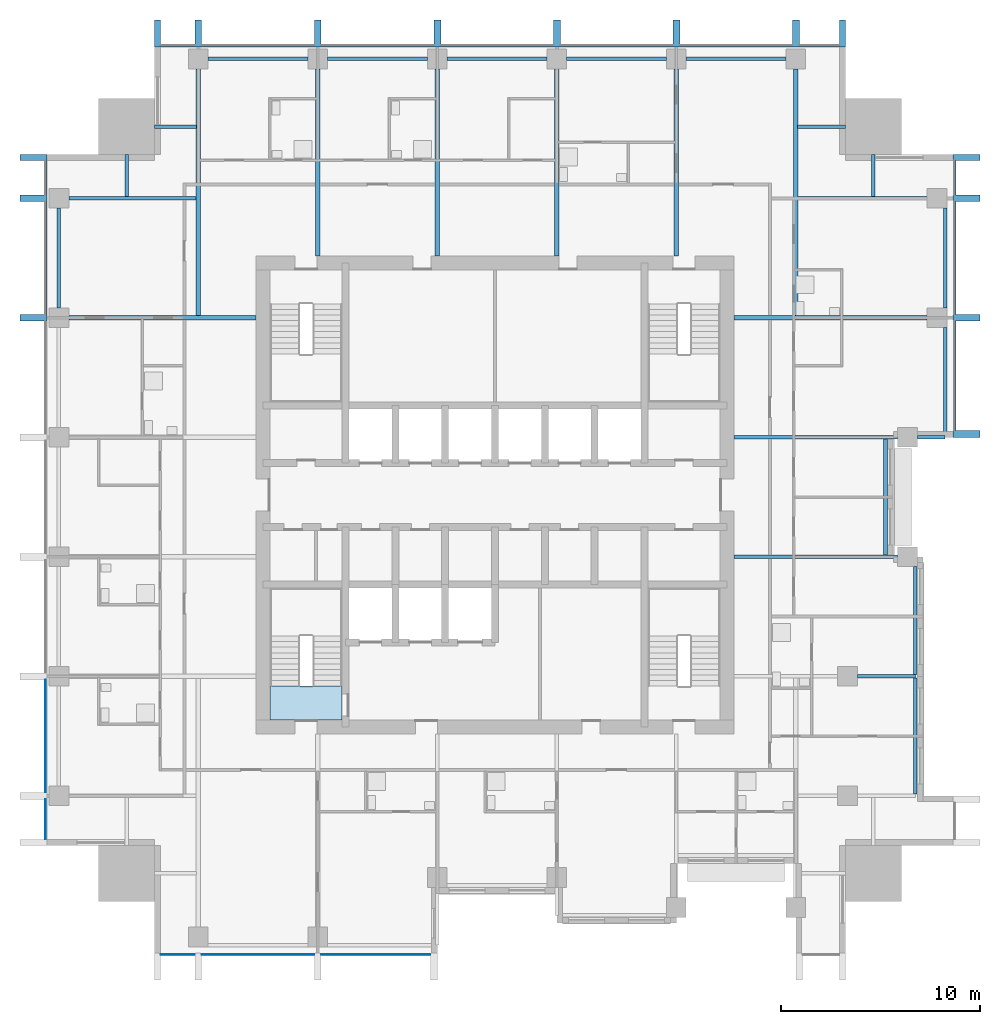
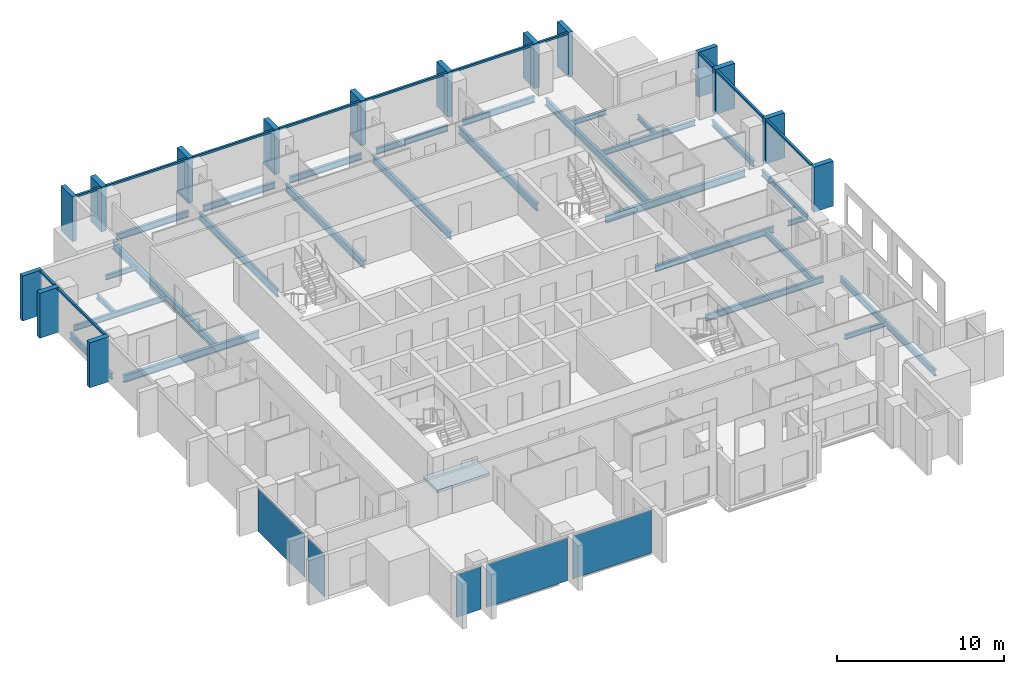
# One storey, part 2 of 11: 29 beams, 27 members, 5 plates, 1 slab, 5 elements without a shape of their own.
"""IFC4 building model written with IfcOpenShell, lengths in metres."""

from ifc_helpers import new_model, si_unit, direction, frame, origin, origin_2d, place, context, subcontext, project, spatial, polyline, rectangle, i_section, outline, extrude, material, layer, layer_set, material_profile, profile_set, type_object, element, aggregate, save


model = new_model("IFC4")

# Units and contexts
model_context = context("Model", 3, precision=1e-05, world=origin(), true_north=direction((0.0, 1.0)))
body_context = subcontext(model_context, "Body", "Model", "MODEL_VIEW")
ifc_project = project(units=[si_unit("LENGTHUNIT", "METRE"), si_unit("AREAUNIT", "SQUARE_METRE"), si_unit("VOLUMEUNIT", "CUBIC_METRE"), si_unit("PLANEANGLEUNIT", "RADIAN"), si_unit("MASSUNIT", "GRAM", prefix="KILO")], contexts=[model_context])

# Site, building, storey
site_placement = place(None, origin())
site = spatial("IfcSite", under=ifc_project, at=site_placement, CompositionType="ELEMENT")
building_placement = place(site_placement, origin())
building = spatial("IfcBuilding", under=site, at=building_placement, Name="Amberfall Residences", CompositionType="ELEMENT")
storey_placement = place(building_placement, frame((0.0, 0.0, 171.39990234375)))
storey = spatial("IfcBuildingStorey", under=building, at=storey_placement, Name="L46", CompositionType="ELEMENT", Elevation=171.39990234375)

# Curtain wall, members
ifc_material_1 = material(Name="Bronze anodised aluminium and glass", Category="aluminium")
curtain_wall_type = type_object("IfcCurtainWallType", Name="Curtain wall CW1 tower unit", PredefinedType="USERDEFINED", material=ifc_material_1)
curtain_wall_1_placement = place(storey_placement, origin())
curtain_wall_1 = element("IfcCurtainWall", 1, at=curtain_wall_1_placement, inside=storey, type_object=curtain_wall_type, Name="Curtain wall L46 E E8", ObjectType="UNITISED CURTAIN WALL", PredefinedType="USERDEFINED")
ifc_material_2 = material(Name="Bronze anodised aluminium", Category="aluminium")
ifc_material_profile_1 = material_profile(ifc_material_2, rectangle(XDim=0.14990234375, YDim=0.14990234375, at=origin_2d()), Name="CW1 transom 150 x 150 bronze")
ifc_profile_set_1 = profile_set([ifc_material_profile_1], Name="Bronze anodised aluminium")
member_type_1 = type_object("IfcMemberType", Name="CW1 transom 150 x 150 bronze", PredefinedType="USERDEFINED", material=ifc_profile_set_1)
member_1_placement = place(storey_placement, frame((97.574951171875, 48.75, 2.97509765625), z_axis=(0.0, 1.0, 0.0), x_axis=(-1.0, 0.0, 0.0)))
member_1 = element("IfcMember", 2, at=member_1_placement, type_object=member_type_1, Name="CW1 transom 1.1", ObjectType="TRANSOM", PredefinedType="USERDEFINED", context=body_context, shape_type="SweptSolid", body=[
    extrude(rectangle(XDim=0.14990234375, YDim=0.14990234375, at=origin_2d()), origin(), (0.0, 0.0, 1.0), 5.47509765625),
])
member_2_placement = place(storey_placement, frame((97.574951171875, 54.574951171875, 2.97509765625), z_axis=(0.0, 1.0, 0.0), x_axis=(-1.0, 0.0, 0.0)))
member_2 = element("IfcMember", 3, at=member_2_placement, type_object=member_type_1, Name="CW1 transom 2.1", ObjectType="TRANSOM", PredefinedType="USERDEFINED", context=body_context, shape_type="SweptSolid", body=[
    extrude(rectangle(XDim=0.14990234375, YDim=0.14990234375, at=origin_2d()), origin(), (0.0, 0.0, 1.0), 5.650146484375),
])
member_3_placement = place(storey_placement, frame((97.574951171875, 60.574951171875, 2.97509765625), z_axis=(0.0, 1.0, 0.0), x_axis=(-1.0, 0.0, 0.0)))
member_3 = element("IfcMember", 4, at=member_3_placement, type_object=member_type_1, Name="CW1 transom 3.1", ObjectType="TRANSOM", PredefinedType="USERDEFINED", context=body_context, shape_type="SweptSolid", body=[
    extrude(rectangle(XDim=0.14990234375, YDim=0.14990234375, at=origin_2d()), origin(), (0.0, 0.0, 1.0), 1.72509765625),
])

curtain_wall_2_placement = place(storey_placement, origin())
curtain_wall_2 = element("IfcCurtainWall", 5, at=curtain_wall_2_placement, inside=storey, type_object=curtain_wall_type, Name="Curtain wall L46 N N1", ObjectType="UNITISED CURTAIN WALL", PredefinedType="USERDEFINED")
member_4_placement = place(storey_placement, frame((91.800048828125, 68.074951171875, 2.97509765625), z_axis=(-1.0, 0.0, 0.0), x_axis=(0.0, -1.0, 0.0)))
member_4 = element("IfcMember", 6, at=member_4_placement, type_object=member_type_1, Name="CW1 transom 1.1", ObjectType="TRANSOM", PredefinedType="USERDEFINED", context=body_context, shape_type="SweptSolid", body=[
    extrude(rectangle(XDim=0.14990234375, YDim=0.14990234375, at=origin_2d()), origin(), (0.0, 0.0, 1.0), 2.025146484375),
])
member_5_placement = place(storey_placement, frame((89.425048828125, 68.074951171875, 2.97509765625), z_axis=(-1.0, 0.0, 0.0), x_axis=(0.0, -1.0, 0.0)))
member_5 = element("IfcMember", 7, at=member_5_placement, type_object=member_type_1, Name="CW1 transom 2.1", ObjectType="TRANSOM", PredefinedType="USERDEFINED", context=body_context, shape_type="SweptSolid", body=[
    extrude(rectangle(XDim=0.14990234375, YDim=0.14990234375, at=origin_2d()), origin(), (0.0, 0.0, 1.0), 5.650146484375),
])
member_6_placement = place(storey_placement, frame((83.425048828125, 68.074951171875, 2.97509765625), z_axis=(-1.0, 0.0, 0.0), x_axis=(0.0, -1.0, 0.0)))
member_6 = element("IfcMember", 8, at=member_6_placement, type_object=member_type_1, Name="CW1 transom 3.1", ObjectType="TRANSOM", PredefinedType="USERDEFINED", context=body_context, shape_type="SweptSolid", body=[
    extrude(rectangle(XDim=0.14990234375, YDim=0.14990234375, at=origin_2d()), origin(), (0.0, 0.0, 1.0), 5.650146484375),
])
member_7_placement = place(storey_placement, frame((77.425048828125, 68.074951171875, 2.97509765625), z_axis=(-1.0, 0.0, 0.0), x_axis=(0.0, -1.0, 0.0)))
member_7 = element("IfcMember", 9, at=member_7_placement, type_object=member_type_1, Name="CW1 transom 4.1", ObjectType="TRANSOM", PredefinedType="USERDEFINED", context=body_context, shape_type="SweptSolid", body=[
    extrude(rectangle(XDim=0.14990234375, YDim=0.14990234375, at=origin_2d()), origin(), (0.0, 0.0, 1.0), 5.650146484375),
])
member_8_placement = place(storey_placement, frame((71.425048828125, 68.074951171875, 2.97509765625), z_axis=(-1.0, 0.0, 0.0), x_axis=(0.0, -1.0, 0.0)))
member_8 = element("IfcMember", 10, at=member_8_placement, type_object=member_type_1, Name="CW1 transom 5.1", ObjectType="TRANSOM", PredefinedType="USERDEFINED", context=body_context, shape_type="SweptSolid", body=[
    extrude(rectangle(XDim=0.14990234375, YDim=0.14990234375, at=origin_2d()), origin(), (0.0, 0.0, 1.0), 5.650146484375),
])
member_9_placement = place(storey_placement, frame((65.425048828125, 68.074951171875, 2.97509765625), z_axis=(-1.0, 0.0, 0.0), x_axis=(0.0, -1.0, 0.0)))
member_9 = element("IfcMember", 11, at=member_9_placement, type_object=member_type_1, Name="CW1 transom 6.1", ObjectType="TRANSOM", PredefinedType="USERDEFINED", context=body_context, shape_type="SweptSolid", body=[
    extrude(rectangle(XDim=0.14990234375, YDim=0.14990234375, at=origin_2d()), origin(), (0.0, 0.0, 1.0), 5.650146484375),
])
member_10_placement = place(storey_placement, frame((59.425048828125, 68.074951171875, 2.97509765625), z_axis=(-1.0, 0.0, 0.0), x_axis=(0.0, -1.0, 0.0)))
member_10 = element("IfcMember", 12, at=member_10_placement, type_object=member_type_1, Name="CW1 transom 7.1", ObjectType="TRANSOM", PredefinedType="USERDEFINED", context=body_context, shape_type="SweptSolid", body=[
    extrude(rectangle(XDim=0.14990234375, YDim=0.14990234375, at=origin_2d()), origin(), (0.0, 0.0, 1.0), 1.72509765625),
])

curtain_wall_3_placement = place(storey_placement, origin())
curtain_wall_3 = element("IfcCurtainWall", 13, at=curtain_wall_3_placement, inside=storey, type_object=curtain_wall_type, Name="Curtain wall L46 W W1", ObjectType="UNITISED CURTAIN WALL", PredefinedType="USERDEFINED")
member_11_placement = place(storey_placement, frame((51.925048828125, 62.300048828125, 2.97509765625), z_axis=(0.0, -1.0, 0.0), x_axis=(1.0, 0.0, 0.0)))
member_11 = element("IfcMember", 14, at=member_11_placement, type_object=member_type_1, Name="CW1 transom 1.1", ObjectType="TRANSOM", PredefinedType="USERDEFINED", context=body_context, shape_type="SweptSolid", body=[
    extrude(rectangle(XDim=0.14990234375, YDim=0.14990234375, at=origin_2d()), origin(), (0.0, 0.0, 1.0), 1.72509765625),
])
member_12_placement = place(storey_placement, frame((51.925048828125, 60.22509765625, 2.97509765625), z_axis=(0.0, -1.0, 0.0), x_axis=(1.0, 0.0, 0.0)))
member_12 = element("IfcMember", 15, at=member_12_placement, type_object=member_type_1, Name="CW1 transom 2.1", ObjectType="TRANSOM", PredefinedType="USERDEFINED", context=body_context, shape_type="SweptSolid", body=[
    extrude(rectangle(XDim=0.14990234375, YDim=0.14990234375, at=origin_2d()), origin(), (0.0, 0.0, 1.0), 5.650146484375),
])

# Beams
ifc_material_3 = material(Name="Steel S355", Category="steel")
ifc_material_profile_2 = material_profile(ifc_material_3, i_section(OverallWidth=0.171142578125, OverallDepth=0.351318359375, WebThickness=0.007080078125, FlangeThickness=0.009765625, FilletRadius=0.01025390625, at=origin_2d()), Name="UB 356x171x45")
ifc_profile_set_2 = profile_set([ifc_material_profile_2], Name="Steel S355")
beam_type_1 = type_object("IfcBeamType", Name="Cantilever girder UB 356x171x45", PredefinedType="BEAM", material=ifc_profile_set_2)
beam_1_placement = place(storey_placement, frame((92.699951171875, 36.39990234375, -0.425537109375), z_axis=(1.0, 0.0, 0.0), x_axis=(0.0, 1.0, 0.0)))
element("IfcBeam", 16, at=beam_1_placement, inside=storey, type_object=beam_type_1, Name="Cantilever girder B8 L46 20", PredefinedType="BEAM", context=body_context, shape_type="SweptSolid", body=[
    extrude(i_section(OverallWidth=0.171142578125, OverallDepth=0.351318359375, WebThickness=0.007080078125, FlangeThickness=0.009765625, FilletRadius=0.01025390625, at=origin_2d()), origin(), (0.0, 0.0, 1.0), 2.900146484375),
])
beam_2_placement = place(storey_placement, frame((95.699951171875, 48.39990234375, -0.425537109375), z_axis=(1.0, 0.0, 0.0), x_axis=(0.0, 1.0, 0.0)))
element("IfcBeam", 17, at=beam_2_placement, inside=storey, type_object=beam_type_1, Name="Cantilever girder B8 L46 21", PredefinedType="BEAM", context=body_context, shape_type="SweptSolid", body=[
    extrude(i_section(OverallWidth=0.171142578125, OverallDepth=0.351318359375, WebThickness=0.007080078125, FlangeThickness=0.009765625, FilletRadius=0.01025390625, at=origin_2d()), origin(), (0.0, 0.0, 1.0), 1.400146484375),
])

# Member
ifc_material_profile_3 = material_profile(ifc_material_2, rectangle(XDim=1.35009765625, YDim=0.300048828125, at=origin_2d()), Name="Corner fin 300 x 1350 bronze")
ifc_profile_set_3 = profile_set([ifc_material_profile_3], Name="Bronze anodised aluminium")
member_type_2 = type_object("IfcMemberType", Name="Corner fin 300 x 1350 bronze", PredefinedType="MULLION", material=ifc_profile_set_3)
member_13_placement = place(storey_placement, frame((98.175048828125, 62.449951171875, -0.25), z_axis=(0.0, 0.0, 1.0), x_axis=(-1.0, 0.0, 0.0)))
member_13 = element("IfcMember", 18, at=member_13_placement, type_object=member_type_2, Name="CW FIN 4", PredefinedType="MULLION", context=body_context, shape_type="SweptSolid", body=[
    extrude(rectangle(XDim=1.35009765625, YDim=0.300048828125, at=origin_2d()), origin(), (0.0, 0.0, 1.0), 3.300048828125),
])

member_14_placement = place(storey_placement, frame((91.949951171875, 68.675048828125, -0.25), z_axis=(0.0, 0.0, 1.0), x_axis=(0.0, -1.0, 0.0)))
member_14 = element("IfcMember", 19, at=member_14_placement, type_object=member_type_2, Name="CW FIN 1", PredefinedType="MULLION", context=body_context, shape_type="SweptSolid", body=[
    extrude(rectangle(XDim=1.35009765625, YDim=0.300048828125, at=origin_2d()), origin(), (0.0, 0.0, 1.0), 3.300048828125),
])

member_15_placement = place(storey_placement, frame((57.550048828125, 68.675048828125, -0.25), z_axis=(0.0, 0.0, 1.0), x_axis=(0.0, -1.0, 0.0)))
member_15 = element("IfcMember", 20, at=member_15_placement, type_object=member_type_2, Name="CW FIN 8", PredefinedType="MULLION", context=body_context, shape_type="SweptSolid", body=[
    extrude(rectangle(XDim=1.35009765625, YDim=0.300048828125, at=origin_2d()), origin(), (0.0, 0.0, 1.0), 3.300048828125),
])

member_16_placement = place(storey_placement, frame((51.324951171875, 62.449951171875, -0.25), z_axis=(0.0, 0.0, 1.0), x_axis=(1.0, 0.0, 0.0)))
member_16 = element("IfcMember", 21, at=member_16_placement, type_object=member_type_2, Name="CW FIN 1", PredefinedType="MULLION", context=body_context, shape_type="SweptSolid", body=[
    extrude(rectangle(XDim=1.35009765625, YDim=0.300048828125, at=origin_2d()), origin(), (0.0, 0.0, 1.0), 3.300048828125),
])

# Beams
ifc_material_profile_4 = material_profile(ifc_material_3, i_section(OverallWidth=0.18994140625, OverallDepth=0.453369140625, WebThickness=0.008544921875, FlangeThickness=0.0126953125, FilletRadius=0.01025390625, at=origin_2d()), Name="UB 457x191x67")
ifc_profile_set_4 = profile_set([ifc_material_profile_4], Name="Steel S355")
beam_type_2 = type_object("IfcBeamType", Name="Edge beam UB 457x191x67", PredefinedType="SPANDREL", material=ifc_profile_set_4)
beam_3_placement = place(storey_placement, frame((95.60009765625, 30.47998046875, -0.4765625), z_axis=(0.0, 1.0, 0.0), x_axis=(-1.0, 0.0, 0.0)))
element("IfcBeam", 22, at=beam_3_placement, inside=storey, type_object=beam_type_2, Name="Edge beam B1 L46 14", PredefinedType="SPANDREL", context=body_context, shape_type="SweptSolid", body=[
    extrude(i_section(OverallWidth=0.18994140625, OverallDepth=0.453369140625, WebThickness=0.008544921875, FlangeThickness=0.0126953125, FilletRadius=0.01025390625, at=origin_2d()), origin(), (0.0, 0.0, 1.0), 5.840087890625),
])
beam_4_placement = place(storey_placement, frame((95.60009765625, 36.47998046875, -0.4765625), z_axis=(0.0, 1.0, 0.0), x_axis=(-1.0, 0.0, 0.0)))
element("IfcBeam", 23, at=beam_4_placement, inside=storey, type_object=beam_type_2, Name="Edge beam B1 L46 15", PredefinedType="SPANDREL", context=body_context, shape_type="SweptSolid", body=[
    extrude(i_section(OverallWidth=0.18994140625, OverallDepth=0.453369140625, WebThickness=0.008544921875, FlangeThickness=0.0126953125, FilletRadius=0.01025390625, at=origin_2d()), origin(), (0.0, 0.0, 1.0), 5.419921875),
])
beam_5_placement = place(storey_placement, frame((94.10009765625, 42.47998046875, -0.4765625), z_axis=(0.0, 1.0, 0.0), x_axis=(-1.0, 0.0, 0.0)))
element("IfcBeam", 24, at=beam_5_placement, inside=storey, type_object=beam_type_2, Name="Edge beam B1 L46 16", PredefinedType="SPANDREL", context=body_context, shape_type="SweptSolid", body=[
    extrude(i_section(OverallWidth=0.18994140625, OverallDepth=0.453369140625, WebThickness=0.008544921875, FlangeThickness=0.0126953125, FilletRadius=0.01025390625, at=origin_2d()), origin(), (0.0, 0.0, 1.0), 5.840087890625),
])
beam_6_placement = place(storey_placement, frame((97.10009765625, 48.47998046875, -0.4765625), z_axis=(0.0, 1.0, 0.0), x_axis=(-1.0, 0.0, 0.0)))
element("IfcBeam", 25, at=beam_6_placement, inside=storey, type_object=beam_type_2, Name="Edge beam B1 L46 17", PredefinedType="SPANDREL", context=body_context, shape_type="SweptSolid", body=[
    extrude(i_section(OverallWidth=0.18994140625, OverallDepth=0.453369140625, WebThickness=0.008544921875, FlangeThickness=0.0126953125, FilletRadius=0.01025390625, at=origin_2d()), origin(), (0.0, 0.0, 1.0), 5.419921875),
])
for number, where, z_axis, x_axis, name in (
    (26, (97.10009765625, 54.89990234375, -0.4765625), (0.0, 1.0, 0.0), (-1.0, 0.0, 0.0), "Edge beam B1 L46 18"),
    (27, (60.10009765625, 67.39990234375, -0.4765625), (1.0, 0.0, 0.0), (0.0, 1.0, 0.0), "Edge beam B1 L46 28"),
    (28, (66.10009765625, 67.39990234375, -0.4765625), (1.0, 0.0, 0.0), (0.0, 1.0, 0.0), "Edge beam B1 L46 29"),
    (29, (72.10009765625, 67.39990234375, -0.4765625), (1.0, 0.0, 0.0), (0.0, 1.0, 0.0), "Edge beam B1 L46 30"),
    (30, (78.10009765625, 67.39990234375, -0.4765625), (1.0, 0.0, 0.0), (0.0, 1.0, 0.0), "Edge beam B1 L46 31"),
    (31, (84.10009765625, 67.39990234375, -0.4765625), (1.0, 0.0, 0.0), (0.0, 1.0, 0.0), "Edge beam B1 L46 32"),
    (32, (52.60009765625, 54.89990234375, -0.4765625), (0.0, 1.0, 0.0), (-1.0, 0.0, 0.0), "Edge beam B1 L46 43"),
):
    element("IfcBeam", number, at=place(storey_placement, frame(where, z_axis=z_axis, x_axis=x_axis)), inside=storey, type_object=beam_type_2, Name=name, PredefinedType="SPANDREL", context=body_context, shape_type="SweptSolid", body=[
        extrude(i_section(OverallWidth=0.18994140625, OverallDepth=0.453369140625, WebThickness=0.008544921875, FlangeThickness=0.0126953125, FilletRadius=0.01025390625, at=origin_2d()), origin(), (0.0, 0.0, 1.0), 5.0),
    ])

# Member
ifc_material_profile_5 = material_profile(ifc_material_2, rectangle(XDim=1.35009765625, YDim=0.35009765625, at=origin_2d()), Name="Fin 350 x 1350 bronze")
ifc_profile_set_5 = profile_set([ifc_material_profile_5], Name="Bronze anodised aluminium")
member_type_3 = type_object("IfcMemberType", Name="Fin 350 x 1350 bronze", PredefinedType="MULLION", material=ifc_profile_set_5)
member_17_placement = place(storey_placement, frame((98.175048828125, 48.574951171875, -0.25), z_axis=(0.0, 0.0, 1.0), x_axis=(-1.0, 0.0, 0.0)))
member_17 = element("IfcMember", 33, at=member_17_placement, type_object=member_type_3, Name="CW FIN 1", PredefinedType="MULLION", context=body_context, shape_type="SweptSolid", body=[
    extrude(rectangle(XDim=1.35009765625, YDim=0.35009765625, at=origin_2d()), origin(), (0.0, 0.0, 1.0), 3.300048828125),
])

member_18_placement = place(storey_placement, frame((98.175048828125, 54.39990234375, -0.25), z_axis=(0.0, 0.0, 1.0), x_axis=(-1.0, 0.0, 0.0)))
member_18 = element("IfcMember", 34, at=member_18_placement, type_object=member_type_3, Name="CW FIN 2", PredefinedType="MULLION", context=body_context, shape_type="SweptSolid", body=[
    extrude(rectangle(XDim=1.35009765625, YDim=0.35009765625, at=origin_2d()), origin(), (0.0, 0.0, 1.0), 3.300048828125),
])

member_19_placement = place(storey_placement, frame((98.175048828125, 60.39990234375, -0.25), z_axis=(0.0, 0.0, 1.0), x_axis=(-1.0, 0.0, 0.0)))
member_19 = element("IfcMember", 35, at=member_19_placement, type_object=member_type_3, Name="CW FIN 3", PredefinedType="MULLION", context=body_context, shape_type="SweptSolid", body=[
    extrude(rectangle(XDim=1.35009765625, YDim=0.35009765625, at=origin_2d()), origin(), (0.0, 0.0, 1.0), 3.300048828125),
])

aggregate(curtain_wall_1, [member_17, member_18, member_19, member_13, member_1, member_2, member_3])

member_20_placement = place(storey_placement, frame((89.60009765625, 68.675048828125, -0.25), z_axis=(0.0, 0.0, 1.0), x_axis=(0.0, -1.0, 0.0)))
member_20 = element("IfcMember", 36, at=member_20_placement, type_object=member_type_3, Name="CW FIN 2", PredefinedType="MULLION", context=body_context, shape_type="SweptSolid", body=[
    extrude(rectangle(XDim=1.35009765625, YDim=0.35009765625, at=origin_2d()), origin(), (0.0, 0.0, 1.0), 3.300048828125),
])

member_21_placement = place(storey_placement, frame((83.60009765625, 68.675048828125, -0.25), z_axis=(0.0, 0.0, 1.0), x_axis=(0.0, -1.0, 0.0)))
member_21 = element("IfcMember", 37, at=member_21_placement, type_object=member_type_3, Name="CW FIN 3", PredefinedType="MULLION", context=body_context, shape_type="SweptSolid", body=[
    extrude(rectangle(XDim=1.35009765625, YDim=0.35009765625, at=origin_2d()), origin(), (0.0, 0.0, 1.0), 3.300048828125),
])

member_22_placement = place(storey_placement, frame((77.60009765625, 68.675048828125, -0.25), z_axis=(0.0, 0.0, 1.0), x_axis=(0.0, -1.0, 0.0)))
member_22 = element("IfcMember", 38, at=member_22_placement, type_object=member_type_3, Name="CW FIN 4", PredefinedType="MULLION", context=body_context, shape_type="SweptSolid", body=[
    extrude(rectangle(XDim=1.35009765625, YDim=0.35009765625, at=origin_2d()), origin(), (0.0, 0.0, 1.0), 3.300048828125),
])

member_23_placement = place(storey_placement, frame((71.60009765625, 68.675048828125, -0.25), z_axis=(0.0, 0.0, 1.0), x_axis=(0.0, -1.0, 0.0)))
member_23 = element("IfcMember", 39, at=member_23_placement, type_object=member_type_3, Name="CW FIN 5", PredefinedType="MULLION", context=body_context, shape_type="SweptSolid", body=[
    extrude(rectangle(XDim=1.35009765625, YDim=0.35009765625, at=origin_2d()), origin(), (0.0, 0.0, 1.0), 3.300048828125),
])

member_24_placement = place(storey_placement, frame((65.60009765625, 68.675048828125, -0.25), z_axis=(0.0, 0.0, 1.0), x_axis=(0.0, -1.0, 0.0)))
member_24 = element("IfcMember", 40, at=member_24_placement, type_object=member_type_3, Name="CW FIN 6", PredefinedType="MULLION", context=body_context, shape_type="SweptSolid", body=[
    extrude(rectangle(XDim=1.35009765625, YDim=0.35009765625, at=origin_2d()), origin(), (0.0, 0.0, 1.0), 3.300048828125),
])

member_25_placement = place(storey_placement, frame((59.60009765625, 68.675048828125, -0.25), z_axis=(0.0, 0.0, 1.0), x_axis=(0.0, -1.0, 0.0)))
member_25 = element("IfcMember", 41, at=member_25_placement, type_object=member_type_3, Name="CW FIN 7", PredefinedType="MULLION", context=body_context, shape_type="SweptSolid", body=[
    extrude(rectangle(XDim=1.35009765625, YDim=0.35009765625, at=origin_2d()), origin(), (0.0, 0.0, 1.0), 3.300048828125),
])

aggregate(curtain_wall_2, [member_14, member_20, member_21, member_22, member_23, member_24, member_25, member_15, member_4, member_5, member_6, member_7, member_8, member_9, member_10])

member_26_placement = place(storey_placement, frame((51.324951171875, 60.39990234375, -0.25), z_axis=(0.0, 0.0, 1.0), x_axis=(1.0, 0.0, 0.0)))
member_26 = element("IfcMember", 42, at=member_26_placement, type_object=member_type_3, Name="CW FIN 2", PredefinedType="MULLION", context=body_context, shape_type="SweptSolid", body=[
    extrude(rectangle(XDim=1.35009765625, YDim=0.35009765625, at=origin_2d()), origin(), (0.0, 0.0, 1.0), 3.300048828125),
])

member_27_placement = place(storey_placement, frame((51.324951171875, 54.39990234375, -0.25), z_axis=(0.0, 0.0, 1.0), x_axis=(1.0, 0.0, 0.0)))
member_27 = element("IfcMember", 43, at=member_27_placement, type_object=member_type_3, Name="CW FIN 3", PredefinedType="MULLION", context=body_context, shape_type="SweptSolid", body=[
    extrude(rectangle(XDim=1.35009765625, YDim=0.35009765625, at=origin_2d()), origin(), (0.0, 0.0, 1.0), 3.300048828125),
])

# Beams
ifc_material_profile_6 = material_profile(ifc_material_3, i_section(OverallWidth=0.177734375, OverallDepth=0.402587890625, WebThickness=0.0078125, FlangeThickness=0.010986328125, FilletRadius=0.01025390625, at=origin_2d()), Name="UB 406x178x54")
ifc_profile_set_6 = profile_set([ifc_material_profile_6], Name="Steel S355")
beam_type_3 = type_object("IfcBeamType", Name="Floor girder UB 406x178x54", PredefinedType="BEAM", material=ifc_profile_set_6)
beam_7_placement = place(storey_placement, frame((96.199951171875, 60.39990234375, -0.451171875), z_axis=(-1.0, 0.0, 0.0), x_axis=(0.0, -1.0, 0.0)))
element("IfcBeam", 44, at=beam_7_placement, inside=storey, type_object=beam_type_3, Name="Floor girder B4 L46 27", PredefinedType="BEAM", context=body_context, shape_type="SweptSolid", body=[
    extrude(i_section(OverallWidth=0.177734375, OverallDepth=0.402587890625, WebThickness=0.0078125, FlangeThickness=0.010986328125, FilletRadius=0.01025390625, at=origin_2d()), origin(), (0.0, 0.0, 1.0), 6.47998046875),
])
beam_8_placement = place(storey_placement, frame((53.10009765625, 60.39990234375, -0.451171875), z_axis=(1.0, 0.0, 0.0), x_axis=(0.0, 1.0, 0.0)))
element("IfcBeam", 45, at=beam_8_placement, inside=storey, type_object=beam_type_3, Name="Floor girder B4 L46 49", PredefinedType="BEAM", context=body_context, shape_type="SweptSolid", body=[
    extrude(i_section(OverallWidth=0.177734375, OverallDepth=0.402587890625, WebThickness=0.0078125, FlangeThickness=0.010986328125, FilletRadius=0.01025390625, at=origin_2d()), origin(), (0.0, 0.0, 1.0), 6.3798828125),
])
ifc_material_profile_7 = material_profile(ifc_material_3, i_section(OverallWidth=0.19140625, OverallDepth=0.4599609375, WebThickness=0.010009765625, FlangeThickness=0.01611328125, FilletRadius=0.01025390625, at=origin_2d()), Name="UB 457x191x82")
ifc_profile_set_7 = profile_set([ifc_material_profile_7], Name="Steel S355")
beam_type_4 = type_object("IfcBeamType", Name="Floor girder UB 457x191x82", PredefinedType="BEAM", material=ifc_profile_set_7)
for number, where, z_axis, x_axis, name in (
    (46, (94.699951171875, 42.39990234375, -0.47998046875), (-1.0, 0.0, 0.0), (0.0, -1.0, 0.0), "Floor girder B10 L46 24"),
    (47, (94.699951171875, 48.39990234375, -0.47998046875), (-1.0, 0.0, 0.0), (0.0, -1.0, 0.0), "Floor girder B10 L46 25"),
):
    element("IfcBeam", number, at=place(storey_placement, frame(where, z_axis=z_axis, x_axis=x_axis)), inside=storey, type_object=beam_type_4, Name=name, PredefinedType="BEAM", context=body_context, shape_type="SweptSolid", body=[
        extrude(i_section(OverallWidth=0.19140625, OverallDepth=0.4599609375, WebThickness=0.010009765625, FlangeThickness=0.01611328125, FilletRadius=0.01025390625, at=origin_2d()), origin(), (0.0, 0.0, 1.0), 8.199951171875),
    ])
ifc_material_profile_8 = material_profile(ifc_material_3, i_section(OverallWidth=0.210693359375, OverallDepth=0.53955078125, WebThickness=0.01171875, FlangeThickness=0.018798828125, FilletRadius=0.0126953125, at=origin_2d()), Name="UB 533x210x109")
ifc_profile_set_8 = profile_set([ifc_material_profile_8], Name="Steel S355")
beam_type_5 = type_object("IfcBeamType", Name="Floor girder UB 533x210x109", PredefinedType="BEAM", material=ifc_profile_set_8)
for number, where, z_axis, x_axis, name in (
    (48, (59.60009765625, 66.89990234375, -0.51953125), (0.0, -1.0, 0.0), (1.0, 0.0, 0.0), "Floor girder B2 L46 33"),
    (49, (89.60009765625, 66.89990234375, -0.51953125), (0.0, -1.0, 0.0), (1.0, 0.0, 0.0), "Floor girder B2 L46 38"),
):
    element("IfcBeam", number, at=place(storey_placement, frame(where, z_axis=z_axis, x_axis=x_axis)), inside=storey, type_object=beam_type_5, Name=name, PredefinedType="BEAM", context=body_context, shape_type="SweptSolid", body=[
        extrude(i_section(OverallWidth=0.210693359375, OverallDepth=0.53955078125, WebThickness=0.01171875, FlangeThickness=0.018798828125, FilletRadius=0.0126953125, at=origin_2d()), origin(), (0.0, 0.0, 1.0), 12.400390625),
    ])
ifc_material_profile_9 = material_profile(ifc_material_3, i_section(OverallWidth=0.209228515625, OverallDepth=0.533203125, WebThickness=0.010009765625, FlangeThickness=0.015625, FilletRadius=0.0126953125, at=origin_2d()), Name="UB 533x210x92")
ifc_profile_set_9 = profile_set([ifc_material_profile_9], Name="Steel S355")
beam_type_6 = type_object("IfcBeamType", Name="Floor girder UB 533x210x92", PredefinedType="BEAM", material=ifc_profile_set_9)
beam_9_placement = place(storey_placement, frame((96.199951171875, 54.39990234375, -0.516357421875), z_axis=(-1.0, 0.0, 0.0), x_axis=(0.0, -1.0, 0.0)))
element("IfcBeam", 50, at=beam_9_placement, inside=storey, type_object=beam_type_6, Name="Floor girder B3 L46 26", PredefinedType="BEAM", context=body_context, shape_type="SweptSolid", body=[
    extrude(i_section(OverallWidth=0.209228515625, OverallDepth=0.533203125, WebThickness=0.010009765625, FlangeThickness=0.015625, FilletRadius=0.0126953125, at=origin_2d()), origin(), (0.0, 0.0, 1.0), 9.699951171875),
])
for number, where, z_axis, x_axis, name in (
    (51, (65.60009765625, 66.89990234375, -0.516357421875), (0.0, -1.0, 0.0), (1.0, 0.0, 0.0), "Floor girder B3 L46 34"),
    (52, (71.60009765625, 66.89990234375, -0.516357421875), (0.0, -1.0, 0.0), (1.0, 0.0, 0.0), "Floor girder B3 L46 35"),
    (53, (77.60009765625, 66.89990234375, -0.516357421875), (0.0, -1.0, 0.0), (1.0, 0.0, 0.0), "Floor girder B3 L46 36"),
    (54, (83.60009765625, 66.89990234375, -0.516357421875), (0.0, -1.0, 0.0), (1.0, 0.0, 0.0), "Floor girder B3 L46 37"),
    (55, (53.10009765625, 54.39990234375, -0.516357421875), (1.0, 0.0, 0.0), (0.0, 1.0, 0.0), "Floor girder B3 L46 48"),
):
    element("IfcBeam", number, at=place(storey_placement, frame(where, z_axis=z_axis, x_axis=x_axis)), inside=storey, type_object=beam_type_6, Name=name, PredefinedType="BEAM", context=body_context, shape_type="SweptSolid", body=[
        extrude(i_section(OverallWidth=0.209228515625, OverallDepth=0.533203125, WebThickness=0.010009765625, FlangeThickness=0.015625, FilletRadius=0.0126953125, at=origin_2d()), origin(), (0.0, 0.0, 1.0), 9.39990234375),
    ])
ifc_material_profile_10 = material_profile(ifc_material_3, i_section(OverallWidth=0.171142578125, OverallDepth=0.351318359375, WebThickness=0.007080078125, FlangeThickness=0.009765625, FilletRadius=0.01025390625, at=origin_2d()), Name="UB 356x171x45")
ifc_profile_set_10 = profile_set([ifc_material_profile_10], Name="Steel S355")
beam_type_7 = type_object("IfcBeamType", Name="Link beam UB 356x171x45", PredefinedType="BEAM", material=ifc_profile_set_10)
beam_10_placement = place(storey_placement, frame((92.10009765625, 64.0, -0.425537109375), z_axis=(-1.0, 0.0, 0.0), x_axis=(0.0, -1.0, 0.0)))
element("IfcBeam", 56, at=beam_10_placement, inside=storey, type_object=beam_type_7, Name="Link beam B7 L46 54", PredefinedType="BEAM", context=body_context, shape_type="SweptSolid", body=[
    extrude(i_section(OverallWidth=0.171142578125, OverallDepth=0.351318359375, WebThickness=0.007080078125, FlangeThickness=0.009765625, FilletRadius=0.01025390625, at=origin_2d()), origin(), (0.0, 0.0, 1.0), 2.40478515625),
])
beam_11_placement = place(storey_placement, frame((93.5, 62.60009765625, -0.425537109375), z_axis=(0.0, -1.0, 0.0), x_axis=(1.0, 0.0, 0.0)))
element("IfcBeam", 57, at=beam_11_placement, inside=storey, type_object=beam_type_7, Name="Link beam B7 L46 55", PredefinedType="BEAM", context=body_context, shape_type="SweptSolid", body=[
    extrude(i_section(OverallWidth=0.171142578125, OverallDepth=0.351318359375, WebThickness=0.007080078125, FlangeThickness=0.009765625, FilletRadius=0.01025390625, at=origin_2d()), origin(), (0.0, 0.0, 1.0), 2.12109375),
])
beam_12_placement = place(storey_placement, frame((57.39990234375, 64.0, -0.425537109375), z_axis=(1.0, 0.0, 0.0), x_axis=(0.0, 1.0, 0.0)))
element("IfcBeam", 58, at=beam_12_placement, inside=storey, type_object=beam_type_7, Name="Link beam B7 L46 56", PredefinedType="BEAM", context=body_context, shape_type="SweptSolid", body=[
    extrude(i_section(OverallWidth=0.171142578125, OverallDepth=0.351318359375, WebThickness=0.007080078125, FlangeThickness=0.009765625, FilletRadius=0.01025390625, at=origin_2d()), origin(), (0.0, 0.0, 1.0), 2.104736328125),
])
beam_13_placement = place(storey_placement, frame((56.0, 62.60009765625, -0.425537109375), z_axis=(0.0, -1.0, 0.0), x_axis=(1.0, 0.0, 0.0)))
element("IfcBeam", 59, at=beam_13_placement, inside=storey, type_object=beam_type_7, Name="Link beam B7 L46 57", PredefinedType="BEAM", context=body_context, shape_type="SweptSolid", body=[
    extrude(i_section(OverallWidth=0.171142578125, OverallDepth=0.351318359375, WebThickness=0.007080078125, FlangeThickness=0.009765625, FilletRadius=0.01025390625, at=origin_2d()), origin(), (0.0, 0.0, 1.0), 2.12109375),
])

# Curtain wall, plates
curtain_wall_4_placement = place(storey_placement, origin())
curtain_wall_4 = element("IfcCurtainWall", 60, at=curtain_wall_4_placement, inside=storey, type_object=curtain_wall_type, Name="Curtain wall L46 S S1", ObjectType="UNITISED CURTAIN WALL", PredefinedType="USERDEFINED")
ifc_material_4 = material(Name="Tinted double glazed unit", Category="glass")
ifc_layer_1 = layer(ifc_material_4, 0.035888671875)
ifc_layer_set_1 = layer_set([ifc_layer_1], Name="CW1 panel 36 glazing")
plate_type = type_object("IfcPlateType", Name="CW1 panel 36 glazing", PredefinedType="CURTAIN_PANEL", material=ifc_layer_set_1)
plate_1_placement = place(storey_placement, frame((58.5625, 22.425048828125, -0.249755859375), z_axis=(0.0, 0.0, 1.0), x_axis=(1.0, 0.0, 0.0)))
plate_1 = element("IfcPlate", 61, at=plate_1_placement, type_object=plate_type, Name="CW1 panel 1.1", PredefinedType="CURTAIN_PANEL", context=body_context, shape_type="SweptSolid", body=[
    extrude(rectangle(XDim=1.700927734375, YDim=0.035888671875, at=origin_2d()), origin(), (0.0, 0.0, 1.0), 3.14990234375),
])
plate_2_placement = place(storey_placement, frame((62.60009765625, 22.425048828125, -0.249755859375), z_axis=(0.0, 0.0, 1.0), x_axis=(1.0, 0.0, 0.0)))
plate_2 = element("IfcPlate", 62, at=plate_2_placement, type_object=plate_type, Name="CW1 panel 2.1", PredefinedType="CURTAIN_PANEL", context=body_context, shape_type="SweptSolid", body=[
    extrude(rectangle(XDim=5.6259765625, YDim=0.035888671875, at=origin_2d()), origin(), (0.0, 0.0, 1.0), 3.14990234375),
])
plate_3_placement = place(storey_placement, frame((68.512451171875, 22.425048828125, -0.249755859375), z_axis=(0.0, 0.0, 1.0), x_axis=(1.0, 0.0, 0.0)))
plate_3 = element("IfcPlate", 63, at=plate_3_placement, type_object=plate_type, Name="CW1 panel 3.1", PredefinedType="CURTAIN_PANEL", context=body_context, shape_type="SweptSolid", body=[
    extrude(rectangle(XDim=5.450927734375, YDim=0.035888671875, at=origin_2d()), origin(), (0.0, 0.0, 1.0), 3.14990234375),
])
aggregate(curtain_wall_4, [plate_1, plate_2, plate_3])

# Plate
plate_4_placement = place(storey_placement, frame((51.925048828125, 33.39990234375, -0.249755859375), z_axis=(0.0, 0.0, 1.0), x_axis=(0.0, -1.0, 0.0)))
plate_4 = element("IfcPlate", 64, at=plate_4_placement, type_object=plate_type, Name="CW1 panel 6.1", PredefinedType="CURTAIN_PANEL", context=body_context, shape_type="SweptSolid", body=[
    extrude(rectangle(XDim=5.6259765625, YDim=0.035888671875, at=origin_2d()), origin(), (0.0, 0.0, 1.0), 3.14990234375),
])

plate_5_placement = place(storey_placement, frame((51.925048828125, 29.21240234375, -0.249755859375), z_axis=(0.0, 0.0, 1.0), x_axis=(0.0, -1.0, 0.0)))
plate_5 = element("IfcPlate", 65, at=plate_5_placement, type_object=plate_type, Name="CW1 panel 7.1", PredefinedType="CURTAIN_PANEL", context=body_context, shape_type="SweptSolid", body=[
    extrude(rectangle(XDim=2.0009765625, YDim=0.035888671875, at=origin_2d()), origin(), (0.0, 0.0, 1.0), 3.14990234375),
])

aggregate(curtain_wall_3, [member_16, member_26, member_27, member_11, member_12, plate_4, plate_5])

# Stair, slab
ifc_material_5 = material(Name="Concrete C40", Category="concrete")
stair_type = type_object("IfcStairType", Name="Exit stair 20 risers 165.0 mm", PredefinedType="HALF_TURN_STAIR", material=ifc_material_5)
stair_placement = place(storey_placement, origin())
stair = element("IfcStair", 66, at=stair_placement, inside=storey, type_object=stair_type, Name="L46 Exit stair 1", PredefinedType="HALF_TURN_STAIR")
ifc_layer_2 = layer(ifc_material_5, 0.199951171875)
ifc_layer_set_2 = layer_set([ifc_layer_2], Name="Stair landing 200")
slab_type = type_object("IfcSlabType", Name="Stair landing 200", PredefinedType="LANDING", material=ifc_layer_set_2)
slab_placement = place(storey_placement, frame((0.0, 0.0, -0.199951171875)))
slab = element("IfcSlab", 67, at=slab_placement, type_object=slab_type, Name="ST3 landing 2", PredefinedType="LANDING", context=body_context, shape_type="SweptSolid", body=[
    extrude(outline(polyline([(66.824951171875, 34.199951171875), (66.824951171875, 35.89990234375), (63.199951171875, 35.89990234375), (63.199951171875, 34.199951171875), (66.824951171875, 34.199951171875)])), origin(), (0.0, 0.0, 1.0), 0.199951171875),
])
aggregate(stair, [slab])

save(model, "model.ifc")
